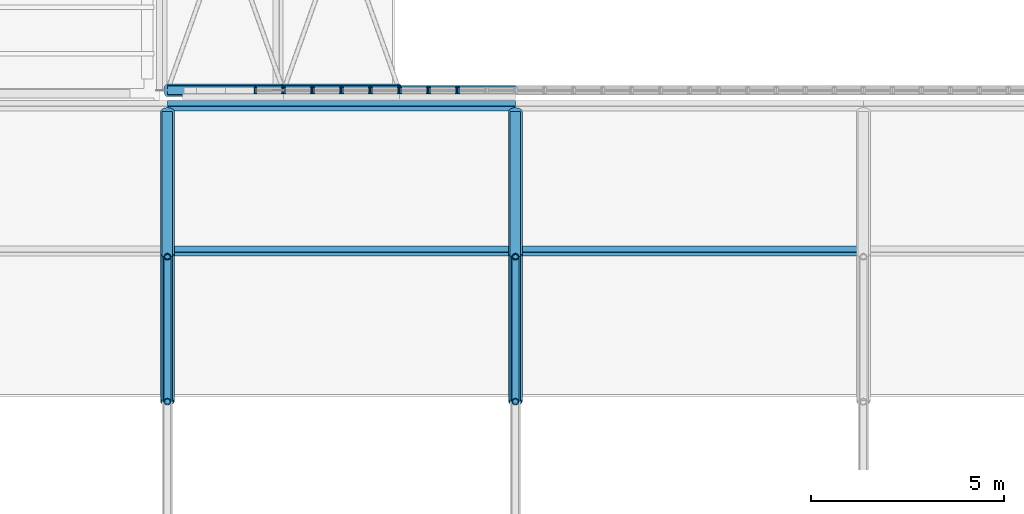
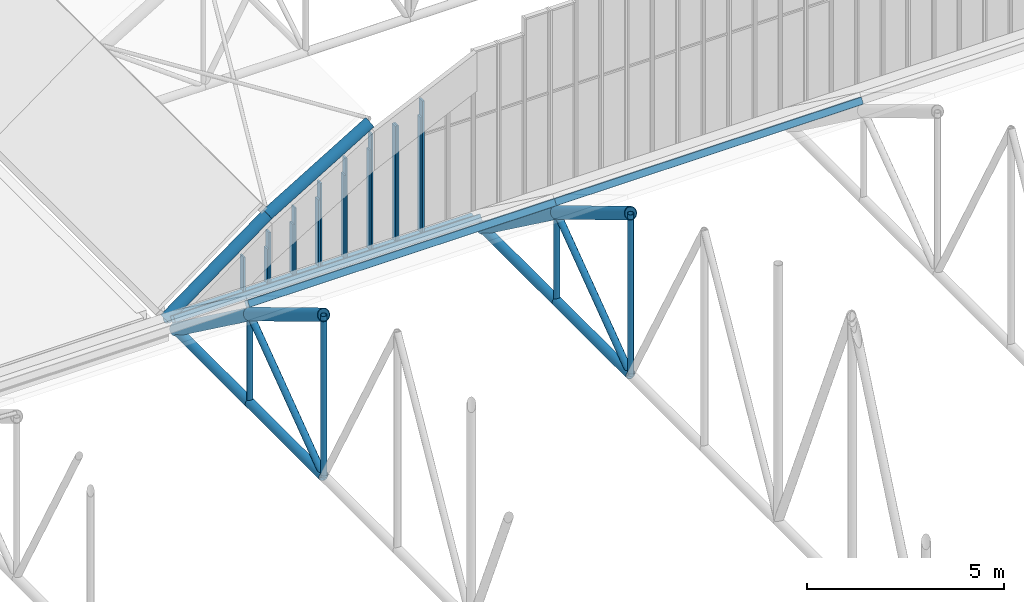
# One storey, part 66 of 153: 37 members, 8 elements without a shape of their own.
"""IFC4 building model written with IfcOpenShell, lengths in metres."""

from ifc_helpers import new_model, si_unit, direction, frame, origin, origin_2d, place, context, subcontext, project, spatial, rectangle, hollow_rectangle, hollow_circle, extrude, material, material_profile, profile_set, type_object, element, aggregate, save


model = new_model("IFC4")

# Units and contexts
model_context = context("Model", 3, precision=1e-05, world=origin(), true_north=direction((0.0, 1.0)))
body_context = subcontext(model_context, "Body", "Model", "MODEL_VIEW")
ifc_project = project(units=[si_unit("LENGTHUNIT", "METRE"), si_unit("AREAUNIT", "SQUARE_METRE"), si_unit("VOLUMEUNIT", "CUBIC_METRE"), si_unit("PLANEANGLEUNIT", "RADIAN"), si_unit("MASSUNIT", "GRAM", prefix="KILO")], contexts=[model_context])

# Site, building, storey
site_placement = place(None, origin())
site = spatial("IfcSite", under=ifc_project, at=site_placement, CompositionType="ELEMENT")
building_placement = place(site_placement, origin())
building = spatial("IfcBuilding", under=site, at=building_placement, Name="Baradari Gate Terminus", CompositionType="ELEMENT")
storey_placement = place(building_placement, frame((0.0, 0.0, 11.699951171875)))
storey = spatial("IfcBuildingStorey", under=building, at=storey_placement, Name="L02", CompositionType="ELEMENT", Elevation=11.699951171875)

# Curtain wall, members
ifc_material_1 = material(Name="Aluminium 6063-T6", Category="aluminium")
curtain_wall_type = type_object("IfcCurtainWallType", Name="Curtain wall CW-60 hall gable glazing", PredefinedType="NOTDEFINED", material=ifc_material_1)
curtain_wall_1_placement = place(storey_placement, origin())
curtain_wall_1 = element("IfcCurtainWall", 1, at=curtain_wall_1_placement, inside=storey, type_object=curtain_wall_type, Name="Hall gable glazing S4", PredefinedType="NOTDEFINED")
ifc_material_2 = material(Name="Aluminium 6063-T6", Category="aluminium")
ifc_material_profile_1 = material_profile(ifc_material_2, rectangle(XDim=0.175048828125, YDim=0.050048828125, at=origin_2d()), Name="CM-60 50X175")
ifc_profile_set_1 = profile_set([ifc_material_profile_1], Name="Aluminium 6063-T6")
member_type_1 = type_object("IfcMemberType", Name="Curtain wall mullion CM-60 50x175", PredefinedType="MULLION", material=ifc_profile_set_1)
member_1_placement = place(storey_placement, frame((137.27490234375, 81.550048828125, 0.234619140625), z_axis=(0.0, 0.0, 1.0), x_axis=(0.0, 1.0, 0.0)))
member_1 = element("IfcMember", 2, at=member_1_placement, type_object=member_type_1, Name="CW-60 mullion 1", PredefinedType="MULLION", context=body_context, shape_type="SweptSolid", body=[
    extrude(rectangle(XDim=0.175048828125, YDim=0.050048828125, at=origin_2d()), origin(), (0.0, 0.0, 1.0), 1.0654296875),
])
member_2_placement = place(storey_placement, frame((137.97509765625, 81.550048828125, 0.234619140625), z_axis=(0.0, 0.0, 1.0), x_axis=(0.0, 1.0, 0.0)))
member_2 = element("IfcMember", 3, at=member_2_placement, type_object=member_type_1, Name="CW-60 mullion 2", PredefinedType="MULLION", context=body_context, shape_type="SweptSolid", body=[
    extrude(rectangle(XDim=0.175048828125, YDim=0.050048828125, at=origin_2d()), origin(), (0.0, 0.0, 1.0), 1.0654296875),
])
aggregate(curtain_wall_1, [member_1, member_2])

curtain_wall_2_placement = place(storey_placement, origin())
curtain_wall_2 = element("IfcCurtainWall", 4, at=curtain_wall_2_placement, inside=storey, type_object=curtain_wall_type, Name="Hall gable glazing S5", PredefinedType="NOTDEFINED")
member_3_placement = place(storey_placement, frame((138.02490234375, 81.550048828125, 0.234619140625), z_axis=(0.0, 0.0, 1.0), x_axis=(0.0, 1.0, 0.0)))
member_3 = element("IfcMember", 5, at=member_3_placement, type_object=member_type_1, Name="CW-60 mullion 1", PredefinedType="MULLION", context=body_context, shape_type="SweptSolid", body=[
    extrude(rectangle(XDim=0.175048828125, YDim=0.050048828125, at=origin_2d()), origin(), (0.0, 0.0, 1.0), 1.5654296875),
])
member_4_placement = place(storey_placement, frame((138.72509765625, 81.550048828125, 0.234619140625), z_axis=(0.0, 0.0, 1.0), x_axis=(0.0, 1.0, 0.0)))
member_4 = element("IfcMember", 6, at=member_4_placement, type_object=member_type_1, Name="CW-60 mullion 2", PredefinedType="MULLION", context=body_context, shape_type="SweptSolid", body=[
    extrude(rectangle(XDim=0.175048828125, YDim=0.050048828125, at=origin_2d()), origin(), (0.0, 0.0, 1.0), 1.5654296875),
])
aggregate(curtain_wall_2, [member_3, member_4])

curtain_wall_3_placement = place(storey_placement, origin())
curtain_wall_3 = element("IfcCurtainWall", 7, at=curtain_wall_3_placement, inside=storey, type_object=curtain_wall_type, Name="Hall gable glazing S6", PredefinedType="NOTDEFINED")
member_5_placement = place(storey_placement, frame((138.77490234375, 81.550048828125, 0.234619140625), z_axis=(0.0, 0.0, 1.0), x_axis=(0.0, 1.0, 0.0)))
member_5 = element("IfcMember", 8, at=member_5_placement, type_object=member_type_1, Name="CW-60 mullion 1", PredefinedType="MULLION", context=body_context, shape_type="SweptSolid", body=[
    extrude(rectangle(XDim=0.175048828125, YDim=0.050048828125, at=origin_2d()), origin(), (0.0, 0.0, 1.0), 2.0654296875),
])
member_6_placement = place(storey_placement, frame((139.47509765625, 81.550048828125, 0.234619140625), z_axis=(0.0, 0.0, 1.0), x_axis=(0.0, 1.0, 0.0)))
member_6 = element("IfcMember", 9, at=member_6_placement, type_object=member_type_1, Name="CW-60 mullion 2", PredefinedType="MULLION", context=body_context, shape_type="SweptSolid", body=[
    extrude(rectangle(XDim=0.175048828125, YDim=0.050048828125, at=origin_2d()), origin(), (0.0, 0.0, 1.0), 2.0654296875),
])
aggregate(curtain_wall_3, [member_5, member_6])

curtain_wall_4_placement = place(storey_placement, origin())
curtain_wall_4 = element("IfcCurtainWall", 10, at=curtain_wall_4_placement, inside=storey, type_object=curtain_wall_type, Name="Hall gable glazing S7", PredefinedType="NOTDEFINED")
member_7_placement = place(storey_placement, frame((139.52490234375, 81.550048828125, 0.234619140625), z_axis=(0.0, 0.0, 1.0), x_axis=(0.0, 1.0, 0.0)))
member_7 = element("IfcMember", 11, at=member_7_placement, type_object=member_type_1, Name="CW-60 mullion 1", PredefinedType="MULLION", context=body_context, shape_type="SweptSolid", body=[
    extrude(rectangle(XDim=0.175048828125, YDim=0.050048828125, at=origin_2d()), origin(), (0.0, 0.0, 1.0), 2.5654296875),
])
member_8_placement = place(storey_placement, frame((140.22509765625, 81.550048828125, 0.234619140625), z_axis=(0.0, 0.0, 1.0), x_axis=(0.0, 1.0, 0.0)))
member_8 = element("IfcMember", 12, at=member_8_placement, type_object=member_type_1, Name="CW-60 mullion 2", PredefinedType="MULLION", context=body_context, shape_type="SweptSolid", body=[
    extrude(rectangle(XDim=0.175048828125, YDim=0.050048828125, at=origin_2d()), origin(), (0.0, 0.0, 1.0), 2.5654296875),
])
aggregate(curtain_wall_4, [member_7, member_8])

curtain_wall_5_placement = place(storey_placement, origin())
curtain_wall_5 = element("IfcCurtainWall", 13, at=curtain_wall_5_placement, inside=storey, type_object=curtain_wall_type, Name="Hall gable glazing S8", PredefinedType="NOTDEFINED")
member_9_placement = place(storey_placement, frame((140.27490234375, 81.550048828125, 0.234619140625), z_axis=(0.0, 0.0, 1.0), x_axis=(0.0, 1.0, 0.0)))
member_9 = element("IfcMember", 14, at=member_9_placement, type_object=member_type_1, Name="CW-60 mullion 1", PredefinedType="MULLION", context=body_context, shape_type="SweptSolid", body=[
    extrude(rectangle(XDim=0.175048828125, YDim=0.050048828125, at=origin_2d()), origin(), (0.0, 0.0, 1.0), 3.0654296875),
])
member_10_placement = place(storey_placement, frame((140.97509765625, 81.550048828125, 0.234619140625), z_axis=(0.0, 0.0, 1.0), x_axis=(0.0, 1.0, 0.0)))
member_10 = element("IfcMember", 15, at=member_10_placement, type_object=member_type_1, Name="CW-60 mullion 2", PredefinedType="MULLION", context=body_context, shape_type="SweptSolid", body=[
    extrude(rectangle(XDim=0.175048828125, YDim=0.050048828125, at=origin_2d()), origin(), (0.0, 0.0, 1.0), 3.0654296875),
])
aggregate(curtain_wall_5, [member_9, member_10])

curtain_wall_6_placement = place(storey_placement, origin())
curtain_wall_6 = element("IfcCurtainWall", 16, at=curtain_wall_6_placement, inside=storey, type_object=curtain_wall_type, Name="Hall gable glazing S9", PredefinedType="NOTDEFINED")
member_11_placement = place(storey_placement, frame((141.02490234375, 81.550048828125, 0.234619140625), z_axis=(0.0, 0.0, 1.0), x_axis=(0.0, 1.0, 0.0)))
member_11 = element("IfcMember", 17, at=member_11_placement, type_object=member_type_1, Name="CW-60 mullion 1", PredefinedType="MULLION", context=body_context, shape_type="SweptSolid", body=[
    extrude(rectangle(XDim=0.175048828125, YDim=0.050048828125, at=origin_2d()), origin(), (0.0, 0.0, 1.0), 3.5654296875),
])
member_12_placement = place(storey_placement, frame((141.72509765625, 81.550048828125, 0.234619140625), z_axis=(0.0, 0.0, 1.0), x_axis=(0.0, 1.0, 0.0)))
member_12 = element("IfcMember", 18, at=member_12_placement, type_object=member_type_1, Name="CW-60 mullion 2", PredefinedType="MULLION", context=body_context, shape_type="SweptSolid", body=[
    extrude(rectangle(XDim=0.175048828125, YDim=0.050048828125, at=origin_2d()), origin(), (0.0, 0.0, 1.0), 3.5654296875),
])
aggregate(curtain_wall_6, [member_11, member_12])

curtain_wall_7_placement = place(storey_placement, origin())
curtain_wall_7 = element("IfcCurtainWall", 19, at=curtain_wall_7_placement, inside=storey, type_object=curtain_wall_type, Name="Hall gable glazing S10", PredefinedType="NOTDEFINED")
member_13_placement = place(storey_placement, frame((141.77490234375, 81.550048828125, 0.234619140625), z_axis=(0.0, 0.0, 1.0), x_axis=(0.0, 1.0, 0.0)))
member_13 = element("IfcMember", 20, at=member_13_placement, type_object=member_type_1, Name="CW-60 mullion 1", PredefinedType="MULLION", context=body_context, shape_type="SweptSolid", body=[
    extrude(rectangle(XDim=0.175048828125, YDim=0.050048828125, at=origin_2d()), origin(), (0.0, 0.0, 1.0), 3.5654296875),
])
member_14_placement = place(storey_placement, frame((142.47509765625, 81.550048828125, 0.234619140625), z_axis=(0.0, 0.0, 1.0), x_axis=(0.0, 1.0, 0.0)))
member_14 = element("IfcMember", 21, at=member_14_placement, type_object=member_type_1, Name="CW-60 mullion 2", PredefinedType="MULLION", context=body_context, shape_type="SweptSolid", body=[
    extrude(rectangle(XDim=0.175048828125, YDim=0.050048828125, at=origin_2d()), origin(), (0.0, 0.0, 1.0), 3.5654296875),
])
aggregate(curtain_wall_7, [member_13, member_14])

# Curtain wall, member
curtain_wall_8_placement = place(storey_placement, origin())
curtain_wall_8 = element("IfcCurtainWall", 22, at=curtain_wall_8_placement, inside=storey, type_object=curtain_wall_type, Name="Hall gable glazing S11", PredefinedType="NOTDEFINED")
member_15_placement = place(storey_placement, frame((142.52490234375, 81.550048828125, 0.234619140625), z_axis=(0.0, 0.0, 1.0), x_axis=(0.0, 1.0, 0.0)))
member_15 = element("IfcMember", 23, at=member_15_placement, type_object=member_type_1, Name="CW-60 mullion 1", PredefinedType="MULLION", context=body_context, shape_type="SweptSolid", body=[
    extrude(rectangle(XDim=0.175048828125, YDim=0.050048828125, at=origin_2d()), origin(), (0.0, 0.0, 1.0), 4.0654296875),
])
aggregate(curtain_wall_8, [member_15])

# Members
ifc_material_3 = material(Name="Steel S355", Category="steel")
ifc_material_profile_2 = material_profile(ifc_material_3, hollow_circle(Radius=0.122314453125, WallThickness=0.010009765625, at=origin_2d()), Name="CHS 244.5x10")
ifc_profile_set_2 = profile_set([ifc_material_profile_2], Name="Steel S355")
member_type_2 = type_object("IfcMemberType", Name="Hall vault tie CHS 244.5x10", PredefinedType="CHORD", material=ifc_profile_set_2)
for number, where, z_axis, x_axis, name in (
    (24, (135.0, 81.550048828125, 0.122314453125), (1.0, 0.0, 0.0), (0.0, 1.0, 0.0), "TR/L02/VT1-BC00"),
    (25, (138.0, 81.550048828125, 0.122314453125), (1.0, 0.0, 0.0), (0.0, 1.0, 0.0), "TR/L02/VT1-BC01"),
    (26, (141.0, 81.550048828125, 0.122314453125), (1.0, 0.0, 0.0), (0.0, 1.0, 0.0), "TR/L02/VT1-BC02"),
):
    element("IfcMember", number, at=place(storey_placement, frame(where, z_axis=z_axis, x_axis=x_axis)), inside=storey, type_object=member_type_2, Name=name, PredefinedType="CHORD", context=body_context, shape_type="SweptSolid", body=[
        extrude(hollow_circle(Radius=0.122314453125, WallThickness=0.010009765625, at=origin_2d()), origin(), (0.0, 0.0, 1.0), 3.0),
    ])
ifc_material_4 = material(Name="Steel S355", Category="steel")
ifc_material_profile_3 = material_profile(ifc_material_4, hollow_circle(Radius=0.161865234375, WallThickness=0.012451171875, at=origin_2d()), Name="CHS 323.9x12.5")
ifc_profile_set_3 = profile_set([ifc_material_profile_3], Name="Steel S355")
member_type_3 = type_object("IfcMemberType", Name="Hall vault top chord CHS 323.9x12.5", PredefinedType="CHORD", material=ifc_profile_set_3)
member_16_placement = place(storey_placement, frame((135.0, 81.550048828125, 0.122314453125), z_axis=(0.80641125493, 0.0, 0.591355128432), x_axis=(0.0, 1.0, 0.0)))
element("IfcMember", 27, at=member_16_placement, inside=storey, type_object=member_type_3, Name="TR/L02/VT1-TC00", PredefinedType="CHORD", context=body_context, shape_type="SweptSolid", body=[
    extrude(hollow_circle(Radius=0.161865234375, WallThickness=0.012451171875, at=origin_2d()), origin(), (0.0, 0.0, 1.0), 3.72021484375),
])
member_17_placement = place(storey_placement, frame((138.0, 81.550048828125, 2.322265625), z_axis=(0.857486768376, 0.0, 0.514506017516), x_axis=(0.0, 1.0, 0.0)))
element("IfcMember", 28, at=member_17_placement, inside=storey, type_object=member_type_3, Name="TR/L02/VT1-TC01", PredefinedType="CHORD", context=body_context, shape_type="SweptSolid", body=[
    extrude(hollow_circle(Radius=0.161865234375, WallThickness=0.012451171875, at=origin_2d()), origin(), (0.0, 0.0, 1.0), 3.49853515625),
])
ifc_material_5 = material(Name="Steel S355", Category="steel")
ifc_material_profile_4 = material_profile(ifc_material_5, hollow_circle(Radius=0.136474609375, WallThickness=0.012451171875, at=origin_2d()), Name="CHS 273x12.5")
ifc_profile_set_4 = profile_set([ifc_material_profile_4], Name="Steel S355")
member_type_4 = type_object("IfcMemberType", Name="Shed bottom chord CHS 273x12.5", PredefinedType="CHORD", material=ifc_profile_set_4)
for number, where, z_axis, x_axis, name in (
    (29, (135.0, 73.5, 0.136474609375), (0.0, 1.0, 0.0), (-1.0, 0.0, 0.0), "TR/L02/S135-BC10"),
    (30, (135.0, 77.25, 0.136474609375), (0.0, 1.0, 0.0), (-1.0, 0.0, 0.0), "TR/L02/S135-BC11"),
    (31, (144.0, 73.5, 0.136474609375), (0.0, 1.0, 0.0), (-1.0, 0.0, 0.0), "TR/L02/S144-BC10"),
    (32, (144.0, 77.25, 0.136474609375), (0.0, 1.0, 0.0), (-1.0, 0.0, 0.0), "TR/L02/S144-BC11"),
):
    element("IfcMember", number, at=place(storey_placement, frame(where, z_axis=z_axis, x_axis=x_axis)), inside=storey, type_object=member_type_4, Name=name, PredefinedType="CHORD", context=body_context, shape_type="SweptSolid", body=[
        extrude(hollow_circle(Radius=0.136474609375, WallThickness=0.012451171875, at=origin_2d()), origin(), (0.0, 0.0, 1.0), 3.75),
    ])
ifc_material_6 = material(Name="Steel S355", Category="steel")
ifc_material_profile_5 = material_profile(ifc_material_6, hollow_rectangle(XDim=0.199951171875, YDim=0.199951171875, WallThickness=0.008056640625, InnerFilletRadius=0.008056640625, OuterFilletRadius=0.01611328125, at=origin_2d()), Name="SHS 200x200x8")
ifc_profile_set_5 = profile_set([ifc_material_profile_5], Name="Steel S355")
member_type_5 = type_object("IfcMemberType", Name="Shed purlin SHS 200x200x8", PredefinedType="PURLIN", material=ifc_profile_set_5)
for number, where, z_axis, x_axis, name in (
    (33, (135.0, 77.397216796875, 3.10791015625), (1.0, 0.0, 0.0), (0.0, 0.832836263724, -0.55351942859), "TR/L02/B144-PU11"),
    (34, (135.0, 81.1572265625, 0.350830078125), (1.0, 0.0, 0.0), (0.0, 0.80640499586, -0.591363663621), "TR/L02/B144-PU12"),
    (35, (144.0, 77.397216796875, 3.10791015625), (1.0, 0.0, 0.0), (0.0, 0.832836263724, -0.55351942859), "TR/L02/B153-PU11"),
):
    element("IfcMember", number, at=place(storey_placement, frame(where, z_axis=z_axis, x_axis=x_axis)), inside=storey, type_object=member_type_5, Name=name, PredefinedType="PURLIN", context=body_context, shape_type="SweptSolid", body=[
        extrude(hollow_rectangle(XDim=0.199951171875, YDim=0.199951171875, WallThickness=0.008056640625, InnerFilletRadius=0.008056640625, OuterFilletRadius=0.01611328125, at=origin_2d()), origin(), (0.0, 0.0, 1.0), 9.0),
    ])
ifc_material_7 = material(Name="Steel S355", Category="steel")
ifc_material_profile_6 = material_profile(ifc_material_7, hollow_circle(Radius=0.177734375, WallThickness=0.01611328125, at=origin_2d()), Name="CHS 355.6x16")
ifc_profile_set_6 = profile_set([ifc_material_profile_6], Name="Steel S355")
member_type_6 = type_object("IfcMemberType", Name="Shed top chord CHS 355.6x16", PredefinedType="CHORD", material=ifc_profile_set_6)
member_18_placement = place(storey_placement, frame((135.0, 73.5, 5.136474609375), z_axis=(0.0, 0.857492925713, -0.514495755428), x_axis=(-1.0, 0.0, 0.0)))
element("IfcMember", 36, at=member_18_placement, inside=storey, type_object=member_type_6, Name="TR/L02/S135-TC10", PredefinedType="CHORD", context=body_context, shape_type="SweptSolid", body=[
    extrude(hollow_circle(Radius=0.177734375, WallThickness=0.01611328125, at=origin_2d()), origin(), (0.0, 0.0, 1.0), 4.373291015625),
])
member_19_placement = place(storey_placement, frame((135.0, 77.25, 2.886474609375), z_axis=(0.0, 0.806404995856, -0.591363663628), x_axis=(-1.0, 0.0, 0.0)))
element("IfcMember", 37, at=member_19_placement, inside=storey, type_object=member_type_6, Name="TR/L02/S135-TC11", PredefinedType="CHORD", context=body_context, shape_type="SweptSolid", body=[
    extrude(hollow_circle(Radius=0.177734375, WallThickness=0.01611328125, at=origin_2d()), origin(), (0.0, 0.0, 1.0), 4.650390625),
])
member_20_placement = place(storey_placement, frame((144.0, 73.5, 5.136474609375), z_axis=(0.0, 0.857492925713, -0.514495755428), x_axis=(-1.0, 0.0, 0.0)))
element("IfcMember", 38, at=member_20_placement, inside=storey, type_object=member_type_6, Name="TR/L02/S144-TC10", PredefinedType="CHORD", context=body_context, shape_type="SweptSolid", body=[
    extrude(hollow_circle(Radius=0.177734375, WallThickness=0.01611328125, at=origin_2d()), origin(), (0.0, 0.0, 1.0), 4.373291015625),
])
member_21_placement = place(storey_placement, frame((144.0, 77.25, 2.886474609375), z_axis=(0.0, 0.806404995856, -0.591363663628), x_axis=(-1.0, 0.0, 0.0)))
element("IfcMember", 39, at=member_21_placement, inside=storey, type_object=member_type_6, Name="TR/L02/S144-TC11", PredefinedType="CHORD", context=body_context, shape_type="SweptSolid", body=[
    extrude(hollow_circle(Radius=0.177734375, WallThickness=0.01611328125, at=origin_2d()), origin(), (0.0, 0.0, 1.0), 4.650390625),
])
ifc_material_8 = material(Name="Steel S355", Category="steel")
ifc_material_profile_7 = material_profile(ifc_material_8, hollow_circle(Radius=0.096923828125, WallThickness=0.008056640625, at=origin_2d()), Name="CHS 193.7x8")
ifc_profile_set_7 = profile_set([ifc_material_profile_7], Name="Steel S355")
member_type_7 = type_object("IfcMemberType", Name="Shed truss diagonal CHS 193.7x8", PredefinedType="BRACE", material=ifc_profile_set_7)
for number, where, z_axis, x_axis, name in (
    (40, (135.0, 77.25, 2.886474609375), (0.0, -0.806404995856, -0.591363663628), (1.0, 0.0, 0.0), "TR/L02/S135-SD10"),
    (41, (144.0, 77.25, 2.886474609375), (0.0, -0.806404995856, -0.591363663628), (1.0, 0.0, 0.0), "TR/L02/S144-SD10"),
):
    element("IfcMember", number, at=place(storey_placement, frame(where, z_axis=z_axis, x_axis=x_axis)), inside=storey, type_object=member_type_7, Name=name, PredefinedType="BRACE", context=body_context, shape_type="SweptSolid", body=[
        extrude(hollow_circle(Radius=0.096923828125, WallThickness=0.008056640625, at=origin_2d()), origin(), (0.0, 0.0, 1.0), 4.650390625),
    ])
ifc_material_9 = material(Name="Steel S355", Category="steel")
ifc_material_profile_8 = material_profile(ifc_material_9, hollow_circle(Radius=0.084228515625, WallThickness=0.008056640625, at=origin_2d()), Name="CHS 168.3x8")
ifc_profile_set_8 = profile_set([ifc_material_profile_8], Name="Steel S355")
member_type_8 = type_object("IfcMemberType", Name="Shed truss post CHS 168.3x8", PredefinedType="POST", material=ifc_profile_set_8)
member_22_placement = place(storey_placement, frame((135.0, 73.5, 0.136474609375), z_axis=(0.0, 0.0, 1.0), x_axis=(1.0, 0.0, 0.0)))
element("IfcMember", 42, at=member_22_placement, inside=storey, type_object=member_type_8, Name="TR/L02/S135-SP10", PredefinedType="POST", context=body_context, shape_type="SweptSolid", body=[
    extrude(hollow_circle(Radius=0.084228515625, WallThickness=0.008056640625, at=origin_2d()), origin(), (0.0, 0.0, 1.0), 5.0),
])
member_23_placement = place(storey_placement, frame((135.0, 77.25, 0.136474609375), z_axis=(0.0, 0.0, 1.0), x_axis=(1.0, 0.0, 0.0)))
element("IfcMember", 43, at=member_23_placement, inside=storey, type_object=member_type_8, Name="TR/L02/S135-SP11", PredefinedType="POST", context=body_context, shape_type="SweptSolid", body=[
    extrude(hollow_circle(Radius=0.084228515625, WallThickness=0.008056640625, at=origin_2d()), origin(), (0.0, 0.0, 1.0), 2.75),
])
member_24_placement = place(storey_placement, frame((144.0, 73.5, 0.136474609375), z_axis=(0.0, 0.0, 1.0), x_axis=(1.0, 0.0, 0.0)))
element("IfcMember", 44, at=member_24_placement, inside=storey, type_object=member_type_8, Name="TR/L02/S144-SP10", PredefinedType="POST", context=body_context, shape_type="SweptSolid", body=[
    extrude(hollow_circle(Radius=0.084228515625, WallThickness=0.008056640625, at=origin_2d()), origin(), (0.0, 0.0, 1.0), 5.0),
])
member_25_placement = place(storey_placement, frame((144.0, 77.25, 0.136474609375), z_axis=(0.0, 0.0, 1.0), x_axis=(1.0, 0.0, 0.0)))
element("IfcMember", 45, at=member_25_placement, inside=storey, type_object=member_type_8, Name="TR/L02/S144-SP11", PredefinedType="POST", context=body_context, shape_type="SweptSolid", body=[
    extrude(hollow_circle(Radius=0.084228515625, WallThickness=0.008056640625, at=origin_2d()), origin(), (0.0, 0.0, 1.0), 2.75),
])

save(model, "model.ifc")
